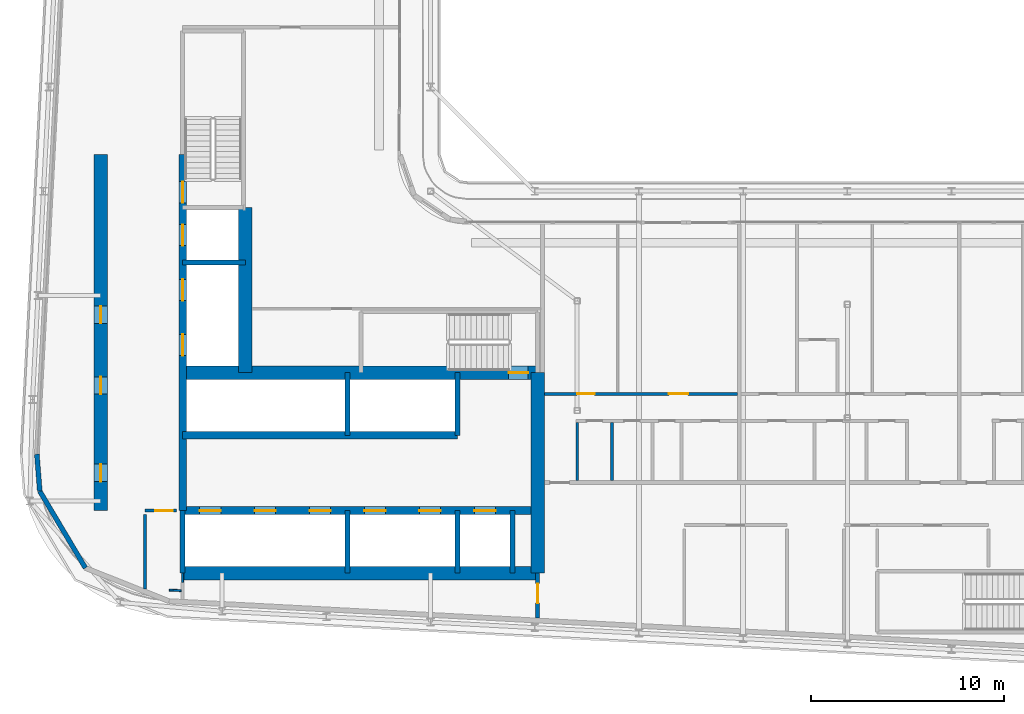
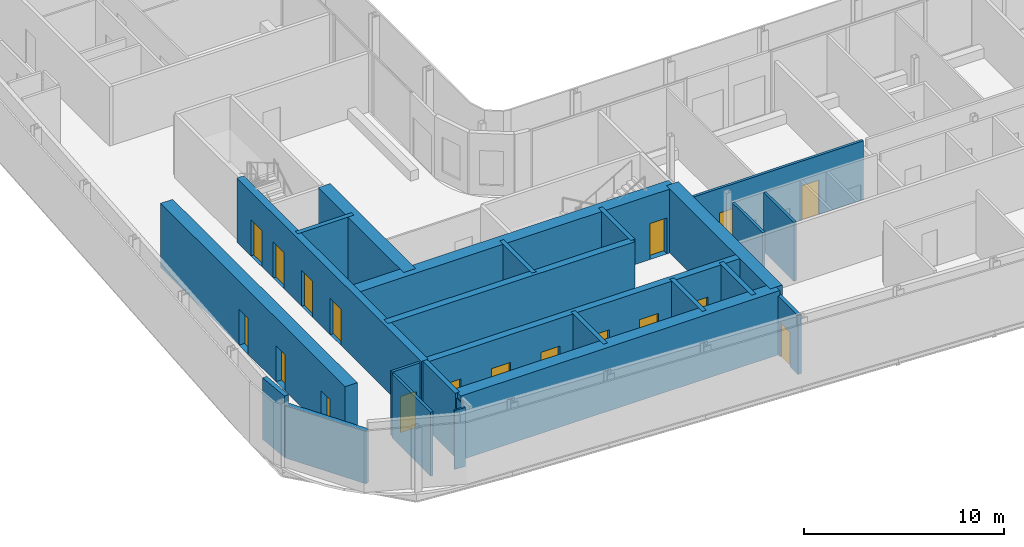
# One storey, part 10 of 23: 25 walls, 18 doors, 18 openings.
"""IFC4 building model written with IfcOpenShell, lengths in metres."""

import ifcopenshell
import ifcopenshell.guid

model = None  # the IFC model being written
_history = None  # IfcOwnerHistory: only IFC2X3 demands one
_inside = {}  # id of a spatial element -> (the spatial element, [elements in it])
_under = {}  # id of a project, library or spatial element -> (it, [spatial elements below it])
_declared = {}  # id of a project -> (the project, [libraries it declares])
_typed = {}  # id of a type object -> (the type object, [elements of that type])
_made_of = {}  # id of a material, layer set ... -> (it, [elements and type objects made of it])


def new_model(schema):
    """Start an empty IFC model of exactly this schema.

    Asked for "IFC4X3", IfcOpenShell would pick the latest addendum, in which some entities
    have other attributes; the version numbers below select the first issue.
    IFC2X3 requires an IfcOwnerHistory on every rooted entity: one is made here for all.
    """
    global model, _history
    if schema == "IFC4X3":
        model = ifcopenshell.file(schema_version=(4, 3, 0, 0))
    else:
        model = ifcopenshell.file(schema=schema)
    _inside.clear()
    _under.clear()
    _declared.clear()
    _typed.clear()
    _made_of.clear()
    _history = None
    if model.schema == "IFC2X3":
        org = make("IfcOrganization", Name="unknown")
        user = make(
            "IfcPersonAndOrganization",
            ThePerson=make("IfcPerson", FamilyName="unknown"),
            TheOrganization=org,
        )
        app = make(
            "IfcApplication",
            ApplicationDeveloper=org,
            Version="unknown",
            ApplicationFullName="unknown",
            ApplicationIdentifier="unknown",
        )
        _history = make(
            "IfcOwnerHistory",
            OwningUser=user,
            OwningApplication=app,
            ChangeAction="ADDED",
            CreationDate=0,
        )
    return model


def make(cls, **values):
    """One entity of the class cls with the attributes given. An attribute that is None is left unset."""
    return model.create_entity(
        cls, **{name: value for name, value in values.items() if value is not None}
    )


def rooted(cls, **values):
    """An entity with a GlobalId (a new one), such as an element, a storey or a relation."""
    return make(cls, GlobalId=ifcopenshell.guid.new(), OwnerHistory=_history, **values)


def si_unit(unit_type, name, prefix=None):
    """IfcSIUnit, for example si_unit("LENGTHUNIT", "METRE", prefix="MILLI")."""
    return make("IfcSIUnit", UnitType=unit_type, Prefix=prefix, Name=name)


def assignment(units):
    """IfcUnitAssignment: the units of a project."""
    return None if units is None else make("IfcUnitAssignment", Units=units)


def point(xyz):
    """IfcCartesianPoint."""
    return None if xyz is None else make("IfcCartesianPoint", Coordinates=xyz)


def direction(xyz):
    """IfcDirection."""
    return None if xyz is None else make("IfcDirection", DirectionRatios=xyz)


def frame(location, z_axis=None, x_axis=None):
    """IfcAxis2Placement3D, a coordinate frame: its origin and axes. An axis left out is left unset."""
    return make(
        "IfcAxis2Placement3D",
        Location=point(location),
        Axis=direction(z_axis),
        RefDirection=direction(x_axis),
    )


def frame_2d(location, x_axis=None):
    """IfcAxis2Placement2D, a coordinate frame in the plane: its origin and x axis."""
    return make(
        "IfcAxis2Placement2D", Location=point(location), RefDirection=direction(x_axis)
    )


def origin():
    """The frame at (0, 0, 0) with its axes left unset."""
    return frame((0.0, 0.0, 0.0))


def place(relative_to, where):
    """IfcLocalPlacement: puts the frame where relative to a parent placement (None: the world)."""
    return make(
        "IfcLocalPlacement", PlacementRelTo=relative_to, RelativePlacement=where
    )


def context(
    kind, dimensions, precision=None, world=None, true_north=None, identifier=None
):
    """IfcGeometricRepresentationContext, for example the 3D "Model" context."""
    return make(
        "IfcGeometricRepresentationContext",
        ContextIdentifier=identifier,
        ContextType=kind,
        CoordinateSpaceDimension=dimensions,
        Precision=precision,
        WorldCoordinateSystem=world,
        TrueNorth=true_north,
    )


def subcontext(parent, identifier, kind, view, scale=None):
    """IfcGeometricRepresentationSubContext, for example "Body" below "Model"."""
    return make(
        "IfcGeometricRepresentationSubContext",
        ContextIdentifier=identifier,
        ContextType=kind,
        ParentContext=parent,
        TargetScale=scale,
        TargetView=view,
    )


def project(units=None, contexts=None):
    """IfcProject with its units and contexts."""
    return rooted(
        "IfcProject",
        Name="project",
        RepresentationContexts=contexts,
        UnitsInContext=assignment(units),
    )


def spatial(cls, under=None, at=None, **own):
    """A site, building, storey or space (cls), placed at a placement, below another one or the project."""
    s = rooted(cls, ObjectPlacement=at, **own)
    if under is not None:
        _under.setdefault(under.id(), (under, []))[1].append(s)
    return s


def profile(cls, at=None, kind="AREA", **sizes):
    """A parametric profile (cls). Its sizes go by their IFC names, for example OverallWidth=200.0."""
    return make(cls, ProfileType=kind, Position=at, **sizes)


def rectangle(**sizes):
    """IfcRectangleProfileDef."""
    return profile("IfcRectangleProfileDef", **sizes)


def extrude(swept, where, along, depth):
    """IfcExtrudedAreaSolid: the profile swept, set in the frame where, extruded along a direction by depth."""
    return make(
        "IfcExtrudedAreaSolid",
        SweptArea=swept,
        Position=where,
        ExtrudedDirection=direction(along),
        Depth=depth,
    )


def shape(context_of_items, identifier, shape_type, items):
    """IfcShapeRepresentation: the items that make up one representation, for example the "Body"."""
    return make(
        "IfcShapeRepresentation",
        ContextOfItems=context_of_items,
        RepresentationIdentifier=identifier,
        RepresentationType=shape_type,
        Items=items,
    )


def source(mapping_origin, context_of_items, identifier, shape_type, items):
    """IfcRepresentationMap: a shape defined once, which mapped items show again and again."""
    return make(
        "IfcRepresentationMap",
        MappingOrigin=mapping_origin,
        MappedRepresentation=shape(context_of_items, identifier, shape_type, items),
    )


def transform(
    local_origin,
    x_axis=None,
    y_axis=None,
    z_axis=None,
    scale=None,
    scale2=None,
    scale3=None,
    uniform=True,
):
    """IfcCartesianTransformationOperator3D, or its non-uniform kind. x_axis, y_axis, z_axis: its Axis1, 2, 3."""
    if uniform:
        return make(
            "IfcCartesianTransformationOperator3D",
            Axis1=direction(x_axis),
            Axis2=direction(y_axis),
            LocalOrigin=point(local_origin),
            Scale=scale,
            Axis3=direction(z_axis),
        )
    return make(
        "IfcCartesianTransformationOperator3DnonUniform",
        Axis1=direction(x_axis),
        Axis2=direction(y_axis),
        LocalOrigin=point(local_origin),
        Scale=scale,
        Axis3=direction(z_axis),
        Scale2=scale2,
        Scale3=scale3,
    )


def mapped(mapping_source, mapping_target):
    """IfcMappedItem: shows the shape of a source again, moved by a transform."""
    return make(
        "IfcMappedItem", MappingSource=mapping_source, MappingTarget=mapping_target
    )


def material(Name=None, Category=None):
    """IfcMaterial."""
    return make("IfcMaterial", Name=Name, Category=Category)


def layer(
    of_material, thickness, ventilated=None, Name=None, Category=None, Priority=None
):
    """IfcMaterialLayer: one layer of a wall or slab, of a material (None: an air gap)."""
    return make(
        "IfcMaterialLayer",
        Material=of_material,
        LayerThickness=thickness,
        IsVentilated=ventilated,
        Name=Name,
        Category=Category,
        Priority=Priority,
    )


def layer_set(layers, Name=None):
    """IfcMaterialLayerSet."""
    return make("IfcMaterialLayerSet", MaterialLayers=layers, LayerSetName=Name)


def made_of(thing, what):
    """Note that an element or type object is made of a material, layer set ...; save() writes the relation."""
    if what is not None:
        _made_of.setdefault(what.id(), (what, []))[1].append(thing)
    return thing


def type_object(cls, material=None, **own):
    """A type object (cls), such as IfcWallType, which elements share."""
    return made_of(rooted(cls, **own), material)


def element(
    cls,
    number,
    at=None,
    inside=None,
    cuts=None,
    type_object=None,
    material=None,
    context=None,
    identifier="Body",
    shape_type=None,
    held_by="IfcProductDefinitionShape",
    body=None,
    shapes=None,
    **own,
):
    """One element of the class cls, such as IfcWall. Its Tag is "e" and its number.

    at: its placement. inside: the storey or other place that contains it. cuts: it is an
    opening in that element (IfcRelVoidsElement). A single representation is given by context,
    identifier, shape_type and body (its items); several are given by shapes. held_by: the class
    of the entity that holds the representations. save() writes the other relations.
    """
    e = rooted(cls, Tag="e%d" % number, ObjectPlacement=at, **own)
    if body is not None:
        shapes = [shape(context, identifier, shape_type, body)]
    if shapes is not None:
        e.Representation = make(held_by, Representations=shapes)
    if inside is not None:
        _inside.setdefault(inside.id(), (inside, []))[1].append(e)
    if cuts is not None:
        rooted(
            "IfcRelVoidsElement", RelatingBuildingElement=cuts, RelatedOpeningElement=e
        )
    if type_object is not None:
        _typed.setdefault(type_object.id(), (type_object, []))[1].append(e)
    return made_of(e, material)


def fill(opening, filler):
    """IfcRelFillsElement: the door or window that sits in an opening."""
    return rooted(
        "IfcRelFillsElement",
        RelatingOpeningElement=opening,
        RelatedBuildingElement=filler,
    )


def aggregate(whole, parts):
    """IfcRelAggregates: a whole, such as a stair, and the parts it consists of."""
    return rooted("IfcRelAggregates", RelatingObject=whole, RelatedObjects=parts)


def save(model, path):
    """Write the relations noted so far, then the file.

    IfcRelAggregates (storeys below a building ...), IfcRelContainedInSpatialStructure (elements
    in a storey), IfcRelDefinesByType, IfcRelAssociatesMaterial and IfcRelDeclares: one each for
    every whole, place, type object, material and project.
    """
    for whole, parts in _under.values():
        aggregate(whole, parts)
    for where, things in _inside.values():
        rooted(
            "IfcRelContainedInSpatialStructure",
            RelatedElements=things,
            RelatingStructure=where,
        )
    for kind, things in _typed.values():
        rooted("IfcRelDefinesByType", RelatedObjects=things, RelatingType=kind)
    for what, things in _made_of.values():
        rooted("IfcRelAssociatesMaterial", RelatedObjects=things, RelatingMaterial=what)
    for by, libraries in _declared.values():
        rooted("IfcRelDeclares", RelatingContext=by, RelatedDefinitions=libraries)
    model.write(path)


model = new_model("IFC4")

# Units and contexts
model_context = context("Model", 3, precision=1e-05, world=origin(), true_north=direction((0.0, 1.0)))
body_context = subcontext(model_context, "Body", "Model", "MODEL_VIEW")
ifc_project = project(units=[si_unit("LENGTHUNIT", "METRE"), si_unit("AREAUNIT", "SQUARE_METRE"), si_unit("VOLUMEUNIT", "CUBIC_METRE"), si_unit("PLANEANGLEUNIT", "RADIAN"), si_unit("MASSUNIT", "GRAM", prefix="KILO")], contexts=[model_context])

# Site, building, storey
site_placement = place(None, origin())
site = spatial("IfcSite", under=ifc_project, at=site_placement, CompositionType="ELEMENT")
building_placement = place(site_placement, origin())
building = spatial("IfcBuilding", under=site, at=building_placement, Name="Kheshtan School and Residences Tower", CompositionType="ELEMENT")
storey_placement = place(building_placement, frame((0.0, 0.0, 247.39990234375)))
storey = spatial("IfcBuildingStorey", under=building, at=storey_placement, Name="L58", CompositionType="ELEMENT", Elevation=247.39990234375)

# Wall, openings, doors
ifc_material_1 = material(Name="Concrete C50/60", Category="concrete")
ifc_layer_1 = layer(ifc_material_1, 0.39990234375)
ifc_layer_set_1 = layer_set([ifc_layer_1], Name="Core wall 400 Concrete C50/60")
wall_type_1 = type_object("IfcWallType", Name="Core wall 400 Concrete C50/60", PredefinedType="SHEAR", material=ifc_layer_set_1)
wall_1_placement = place(storey_placement, frame((34.75, 29.050048828125, 0.0), z_axis=(0.0, 0.0, 1.0), x_axis=(1.0, 0.0, 0.0)))
wall_1 = element("IfcWall", 1, at=wall_1_placement, inside=storey, type_object=wall_type_1, Name="Core wall CW-HALL-S1", PredefinedType="SHEAR", context=body_context, shape_type="SweptSolid", body=[
    extrude(rectangle(XDim=18.39990234375, YDim=0.39990234375, at=frame_2d((9.199951171875, 0.0))), origin(), (0.0, 0.0, 1.0), 3.900146484375),
])
opening_1_placement = place(wall_1_placement, frame((0.875, 0.0, 0.0)))
opening_1 = element("IfcOpeningElement", 2, at=opening_1_placement, cuts=wall_1, Name="Opening LD", PredefinedType="OPENING", context=body_context, shape_type="SweptSolid", body=[
    extrude(rectangle(XDim=1.10009765625, YDim=2.199951171875, at=frame_2d((0.550048828125, 1.10009765625))), frame((0.0, 0.2099609375, 0.0), z_axis=(0.0, -1.0, 0.0), x_axis=(1.0, 0.0, 0.0)), (0.0, 0.0, 1.0), 0.419921875),
])
opening_2_placement = place(wall_1_placement, frame((3.72509765625, 0.0, 0.0)))
opening_2 = element("IfcOpeningElement", 3, at=opening_2_placement, cuts=wall_1, Name="Opening LD", PredefinedType="OPENING", context=body_context, shape_type="SweptSolid", body=[
    extrude(rectangle(XDim=1.10009765625, YDim=2.199951171875, at=frame_2d((0.550048828125, 1.10009765625))), frame((0.0, 0.2099609375, 0.0), z_axis=(0.0, -1.0, 0.0), x_axis=(1.0, 0.0, 0.0)), (0.0, 0.0, 1.0), 0.419921875),
])
opening_3_placement = place(wall_1_placement, frame((6.574951171875, 0.0, 0.0)))
opening_3 = element("IfcOpeningElement", 4, at=opening_3_placement, cuts=wall_1, Name="Opening LD", PredefinedType="OPENING", context=body_context, shape_type="SweptSolid", body=[
    extrude(rectangle(XDim=1.10009765625, YDim=2.199951171875, at=frame_2d((0.550048828125, 1.10009765625))), frame((0.0, 0.2099609375, 0.0), z_axis=(0.0, -1.0, 0.0), x_axis=(1.0, 0.0, 0.0)), (0.0, 0.0, 1.0), 0.419921875),
])
opening_4_placement = place(wall_1_placement, frame((9.425048828125, 0.0, 0.0)))
opening_4 = element("IfcOpeningElement", 5, at=opening_4_placement, cuts=wall_1, Name="Opening LD", PredefinedType="OPENING", context=body_context, shape_type="SweptSolid", body=[
    extrude(rectangle(XDim=1.10009765625, YDim=2.199951171875, at=frame_2d((0.550048828125, 1.10009765625))), frame((0.0, 0.2099609375, 0.0), z_axis=(0.0, -1.0, 0.0), x_axis=(1.0, 0.0, 0.0)), (0.0, 0.0, 1.0), 0.419921875),
])
opening_5_placement = place(wall_1_placement, frame((12.27490234375, 0.0, 0.0)))
opening_5 = element("IfcOpeningElement", 6, at=opening_5_placement, cuts=wall_1, Name="Opening LD", PredefinedType="OPENING", context=body_context, shape_type="SweptSolid", body=[
    extrude(rectangle(XDim=1.10009765625, YDim=2.199951171875, at=frame_2d((0.550048828125, 1.10009765625))), frame((0.0, 0.2099609375, 0.0), z_axis=(0.0, -1.0, 0.0), x_axis=(1.0, 0.0, 0.0)), (0.0, 0.0, 1.0), 0.419921875),
])
opening_6_placement = place(wall_1_placement, frame((15.125, 0.0, 0.0)))
opening_6 = element("IfcOpeningElement", 7, at=opening_6_placement, cuts=wall_1, Name="Opening LD", PredefinedType="OPENING", context=body_context, shape_type="SweptSolid", body=[
    extrude(rectangle(XDim=1.10009765625, YDim=2.199951171875, at=frame_2d((0.550048828125, 1.10009765625))), frame((0.0, 0.2099609375, 0.0), z_axis=(0.0, -1.0, 0.0), x_axis=(1.0, 0.0, 0.0)), (0.0, 0.0, 1.0), 0.419921875),
])
ifc_material_2 = material(Name="Stainless steel door leaves", Category="steel")
door_type_1 = type_object("IfcDoorType", Name="Lift landing door 1100", OperationType="SLIDING_TO_LEFT", PredefinedType="DOOR", material=ifc_material_2)
shared_shape_1 = source(origin(), body_context, "Body", "SweptSolid", [
    extrude(rectangle(XDim=1.10009765625, YDim=2.199951171875, at=frame_2d((0.550048828125, 1.10009765625))), frame((0.0, 0.02490234375, 0.0), z_axis=(0.0, -1.0, 0.0), x_axis=(1.0, 0.0, 0.0)), (0.0, 0.0, 1.0), 0.050048828125),
])
door_1_placement = place(opening_1_placement, origin())
door_1 = element("IfcDoor", 8, at=door_1_placement, inside=storey, type_object=door_type_1, Name="Lift P7 landing door", OperationType="SLIDING_TO_LEFT", OverallHeight=2.199951171875, OverallWidth=1.10009765625, PredefinedType="DOOR", context=body_context, shape_type="MappedRepresentation", body=[
    mapped(shared_shape_1, transform((0.0, 0.0, 0.0), x_axis=(1.0, 0.0, 0.0), y_axis=(0.0, 1.0, 0.0), z_axis=(0.0, 0.0, 1.0), scale=1.0)),
])
fill(opening_1, door_1)
door_2_placement = place(opening_2_placement, origin())
door_2 = element("IfcDoor", 9, at=door_2_placement, inside=storey, type_object=door_type_1, Name="Lift P8 landing door", OperationType="SLIDING_TO_LEFT", OverallHeight=2.199951171875, OverallWidth=1.10009765625, PredefinedType="DOOR", context=body_context, shape_type="MappedRepresentation", body=[
    mapped(shared_shape_1, transform((0.0, 0.0, 0.0), x_axis=(1.0, 0.0, 0.0), y_axis=(0.0, 1.0, 0.0), z_axis=(0.0, 0.0, 1.0), scale=1.0)),
])
fill(opening_2, door_2)
door_3_placement = place(opening_3_placement, origin())
door_3 = element("IfcDoor", 10, at=door_3_placement, inside=storey, type_object=door_type_1, Name="Lift P9 landing door", OperationType="SLIDING_TO_LEFT", OverallHeight=2.199951171875, OverallWidth=1.10009765625, PredefinedType="DOOR", context=body_context, shape_type="MappedRepresentation", body=[
    mapped(shared_shape_1, transform((0.0, 0.0, 0.0), x_axis=(1.0, 0.0, 0.0), y_axis=(0.0, 1.0, 0.0), z_axis=(0.0, 0.0, 1.0), scale=1.0)),
])
fill(opening_3, door_3)
door_4_placement = place(opening_4_placement, origin())
door_4 = element("IfcDoor", 11, at=door_4_placement, inside=storey, type_object=door_type_1, Name="Lift P10 landing door", OperationType="SLIDING_TO_LEFT", OverallHeight=2.199951171875, OverallWidth=1.10009765625, PredefinedType="DOOR", context=body_context, shape_type="MappedRepresentation", body=[
    mapped(shared_shape_1, transform((0.0, 0.0, 0.0), x_axis=(1.0, 0.0, 0.0), y_axis=(0.0, 1.0, 0.0), z_axis=(0.0, 0.0, 1.0), scale=1.0)),
])
fill(opening_4, door_4)
door_5_placement = place(opening_5_placement, origin())
door_5 = element("IfcDoor", 12, at=door_5_placement, inside=storey, type_object=door_type_1, Name="Lift P11 landing door", OperationType="SLIDING_TO_LEFT", OverallHeight=2.199951171875, OverallWidth=1.10009765625, PredefinedType="DOOR", context=body_context, shape_type="MappedRepresentation", body=[
    mapped(shared_shape_1, transform((0.0, 0.0, 0.0), x_axis=(1.0, 0.0, 0.0), y_axis=(0.0, 1.0, 0.0), z_axis=(0.0, 0.0, 1.0), scale=1.0)),
])
fill(opening_5, door_5)
door_6_placement = place(opening_6_placement, origin())
door_6 = element("IfcDoor", 13, at=door_6_placement, inside=storey, type_object=door_type_1, Name="Lift FFL2 landing door", OperationType="SLIDING_TO_LEFT", OverallHeight=2.199951171875, OverallWidth=1.10009765625, PredefinedType="DOOR", context=body_context, shape_type="MappedRepresentation", body=[
    mapped(shared_shape_1, transform((0.0, 0.0, 0.0), x_axis=(1.0, 0.0, 0.0), y_axis=(0.0, 1.0, 0.0), z_axis=(0.0, 0.0, 1.0), scale=1.0)),
])
fill(opening_6, door_6)

# Wall
wall_2_placement = place(storey_placement, frame((34.75, 32.949951171875, 0.0), z_axis=(0.0, 0.0, 1.0), x_axis=(1.0, 0.0, 0.0)))
element("IfcWall", 14, at=wall_2_placement, inside=storey, type_object=wall_type_1, Name="Core wall CW-HALL-S2", PredefinedType="SHEAR", context=body_context, shape_type="SweptSolid", body=[
    extrude(rectangle(XDim=14.25, YDim=0.39990234375, at=frame_2d((7.125, 0.0))), origin(), (0.0, 0.0, 1.0), 3.900146484375),
])

# Wall, openings, doors
wall_3_placement = place(storey_placement, frame((34.75, 29.050048828125, 0.0), z_axis=(0.0, 0.0, 1.0), x_axis=(0.0, 1.0, 0.0)))
wall_3 = element("IfcWall", 15, at=wall_3_placement, inside=storey, type_object=wall_type_1, Name="Core wall CW-HALL-W1", PredefinedType="SHEAR", context=body_context, shape_type="SweptSolid", body=[
    extrude(rectangle(XDim=18.449951171875, YDim=0.39990234375, at=frame_2d((9.22509765625, 0.0))), origin(), (0.0, 0.0, 1.0), 3.900146484375),
])
opening_7_placement = place(wall_3_placement, frame((8.02490234375, 0.0, 0.0)))
opening_7 = element("IfcOpeningElement", 16, at=opening_7_placement, cuts=wall_3, Name="Opening LD", PredefinedType="OPENING", context=body_context, shape_type="SweptSolid", body=[
    extrude(rectangle(XDim=1.10009765625, YDim=2.199951171875, at=frame_2d((0.550048828125, 1.10009765625))), frame((0.0, 0.2099609375, 0.0), z_axis=(0.0, -1.0, 0.0), x_axis=(1.0, 0.0, 0.0)), (0.0, 0.0, 1.0), 0.419921875),
])
opening_8_placement = place(wall_3_placement, frame((10.875, 0.0, 0.0)))
opening_8 = element("IfcOpeningElement", 17, at=opening_8_placement, cuts=wall_3, Name="Opening LD", PredefinedType="OPENING", context=body_context, shape_type="SweptSolid", body=[
    extrude(rectangle(XDim=1.10009765625, YDim=2.199951171875, at=frame_2d((0.550048828125, 1.10009765625))), frame((0.0, 0.2099609375, 0.0), z_axis=(0.0, -1.0, 0.0), x_axis=(1.0, 0.0, 0.0)), (0.0, 0.0, 1.0), 0.419921875),
])
opening_9_placement = place(wall_3_placement, frame((13.72509765625, 0.0, 0.0)))
opening_9 = element("IfcOpeningElement", 18, at=opening_9_placement, cuts=wall_3, Name="Opening LD", PredefinedType="OPENING", context=body_context, shape_type="SweptSolid", body=[
    extrude(rectangle(XDim=1.10009765625, YDim=2.199951171875, at=frame_2d((0.550048828125, 1.10009765625))), frame((0.0, 0.2099609375, 0.0), z_axis=(0.0, -1.0, 0.0), x_axis=(1.0, 0.0, 0.0)), (0.0, 0.0, 1.0), 0.419921875),
])
opening_10_placement = place(wall_3_placement, frame((15.949951171875, 0.0, 0.0)))
opening_10 = element("IfcOpeningElement", 19, at=opening_10_placement, cuts=wall_3, Name="Opening ST2D", PredefinedType="OPENING", context=body_context, shape_type="SweptSolid", body=[
    extrude(rectangle(XDim=1.10009765625, YDim=2.199951171875, at=frame_2d((0.550048828125, 1.10009765625))), frame((0.0, 0.2099609375, 0.0), z_axis=(0.0, -1.0, 0.0), x_axis=(1.0, 0.0, 0.0)), (0.0, 0.0, 1.0), 0.419921875),
])
door_7_placement = place(opening_7_placement, origin())
door_7 = element("IfcDoor", 20, at=door_7_placement, inside=storey, type_object=door_type_1, Name="Lift SV1 landing door", OperationType="SLIDING_TO_LEFT", OverallHeight=2.199951171875, OverallWidth=1.10009765625, PredefinedType="DOOR", context=body_context, shape_type="MappedRepresentation", body=[
    mapped(shared_shape_1, transform((0.0, 0.0, 0.0), x_axis=(1.0, 0.0, 0.0), y_axis=(0.0, 1.0, 0.0), z_axis=(0.0, 0.0, 1.0), scale=1.0)),
])
fill(opening_7, door_7)
door_8_placement = place(opening_8_placement, origin())
door_8 = element("IfcDoor", 21, at=door_8_placement, inside=storey, type_object=door_type_1, Name="Lift SV2 landing door", OperationType="SLIDING_TO_LEFT", OverallHeight=2.199951171875, OverallWidth=1.10009765625, PredefinedType="DOOR", context=body_context, shape_type="MappedRepresentation", body=[
    mapped(shared_shape_1, transform((0.0, 0.0, 0.0), x_axis=(1.0, 0.0, 0.0), y_axis=(0.0, 1.0, 0.0), z_axis=(0.0, 0.0, 1.0), scale=1.0)),
])
fill(opening_8, door_8)
door_9_placement = place(opening_9_placement, origin())
door_9 = element("IfcDoor", 22, at=door_9_placement, inside=storey, type_object=door_type_1, Name="Lift FFL1 landing door", OperationType="SLIDING_TO_LEFT", OverallHeight=2.199951171875, OverallWidth=1.10009765625, PredefinedType="DOOR", context=body_context, shape_type="MappedRepresentation", body=[
    mapped(shared_shape_1, transform((0.0, 0.0, 0.0), x_axis=(1.0, 0.0, 0.0), y_axis=(0.0, 1.0, 0.0), z_axis=(0.0, 0.0, 1.0), scale=1.0)),
])
fill(opening_9, door_9)
ifc_material_3 = material(Name="Steel door leaf, galvanised", Category="steel")
door_type_2 = type_object("IfcDoorType", Name="Stair door 1100 steel 90 min", OperationType="SINGLE_SWING_LEFT", PredefinedType="DOOR", material=ifc_material_3)
shared_shape_2 = source(origin(), body_context, "Body", "SweptSolid", [
    extrude(rectangle(XDim=1.10009765625, YDim=2.199951171875, at=frame_2d((0.550048828125, 1.10009765625))), frame((0.0, 0.02490234375, 0.0), z_axis=(0.0, -1.0, 0.0), x_axis=(1.0, 0.0, 0.0)), (0.0, 0.0, 1.0), 0.050048828125),
])
door_10_placement = place(opening_10_placement, origin())
door_10 = element("IfcDoor", 23, at=door_10_placement, inside=storey, type_object=door_type_2, Name="Stair ST2 door", OperationType="SINGLE_SWING_RIGHT", OverallHeight=2.199951171875, OverallWidth=1.10009765625, PredefinedType="DOOR", context=body_context, shape_type="MappedRepresentation", body=[
    mapped(shared_shape_2, transform((0.0, 0.0, 0.0), x_axis=(1.0, 0.0, 0.0), y_axis=(0.0, 1.0, 0.0), z_axis=(0.0, 0.0, 1.0), scale=1.0)),
])
fill(opening_10, door_10)

# Wall
ifc_material_4 = material(Name="Concrete C70/85", Category="concrete")
ifc_layer_2 = layer(ifc_material_4, 0.699951171875)
ifc_layer_set_2 = layer_set([ifc_layer_2], Name="Core wall 700 Concrete C70/85")
wall_type_2 = type_object("IfcWallType", Name="Core wall 700 Concrete C70/85", PredefinedType="SHEAR", material=ifc_layer_set_2)
wall_4_placement = place(storey_placement, frame((34.75, 25.800048828125, 0.0), z_axis=(0.0, 0.0, 1.0), x_axis=(1.0, 0.0, 0.0)))
element("IfcWall", 24, at=wall_4_placement, inside=storey, type_object=wall_type_2, Name="Core wall CW-REAR-S", PredefinedType="SHEAR", context=body_context, shape_type="SweptSolid", body=[
    extrude(rectangle(XDim=18.39990234375, YDim=0.699951171875, at=frame_2d((9.199951171875, 0.0))), origin(), (0.0, 0.0, 1.0), 3.900146484375),
])

# Wall, opening, door
wall_5_placement = place(storey_placement, frame((34.75, 36.199951171875, 0.0), z_axis=(0.0, 0.0, 1.0), x_axis=(1.0, 0.0, 0.0)))
wall_5 = element("IfcWall", 25, at=wall_5_placement, inside=storey, type_object=wall_type_2, Name="Core wall CW-FRONT-S", PredefinedType="SHEAR", context=body_context, shape_type="SweptSolid", body=[
    extrude(rectangle(XDim=18.39990234375, YDim=0.699951171875, at=frame_2d((9.199951171875, 0.0))), origin(), (0.0, 0.0, 1.0), 3.900146484375),
])
opening_11_placement = place(wall_5_placement, frame((16.89990234375, 0.0, 0.0)))
opening_11 = element("IfcOpeningElement", 26, at=opening_11_placement, cuts=wall_5, Name="Opening ST1D", PredefinedType="OPENING", context=body_context, shape_type="SweptSolid", body=[
    extrude(rectangle(XDim=1.0, YDim=2.199951171875, at=frame_2d((0.5, 1.10009765625))), frame((0.0, 0.35986328125, 0.0), z_axis=(0.0, -1.0, 0.0), x_axis=(1.0, 0.0, 0.0)), (0.0, 0.0, 1.0), 0.719970703125),
])
shared_shape_3 = source(origin(), body_context, "Body", "SweptSolid", [
    extrude(rectangle(XDim=1.0, YDim=2.199951171875, at=frame_2d((0.5, 1.10009765625))), frame((0.0, 0.02490234375, 0.0), z_axis=(0.0, -1.0, 0.0), x_axis=(1.0, 0.0, 0.0)), (0.0, 0.0, 1.0), 0.050048828125),
])
door_11_placement = place(opening_11_placement, origin())
door_11 = element("IfcDoor", 27, at=door_11_placement, inside=storey, type_object=door_type_2, Name="Stair ST1 door", OperationType="SINGLE_SWING_RIGHT", OverallHeight=2.199951171875, OverallWidth=1.0, PredefinedType="DOOR", context=body_context, shape_type="MappedRepresentation", body=[
    mapped(shared_shape_3, transform((0.0, 0.0, 0.0), x_axis=(1.0, 0.0, 0.0), y_axis=(0.0, 1.0, 0.0), z_axis=(0.0, 0.0, 1.0), scale=1.0)),
])
fill(opening_11, door_11)

# Wall
wall_6_placement = place(storey_placement, frame((38.0, 36.199951171875, 0.0), z_axis=(0.0, 0.0, 1.0), x_axis=(0.0, 1.0, 0.0)))
element("IfcWall", 28, at=wall_6_placement, inside=storey, type_object=wall_type_2, Name="Core wall CW-FRONT-W", PredefinedType="SHEAR", context=body_context, shape_type="SweptSolid", body=[
    extrude(rectangle(XDim=8.550048828125, YDim=0.699951171875, at=frame_2d((4.27490234375, 0.0))), origin(), (0.0, 0.0, 1.0), 3.900146484375),
])

# Wall, openings, doors
wall_7_placement = place(storey_placement, frame((30.5, 29.050048828125, 0.0), z_axis=(0.0, 0.0, 1.0), x_axis=(0.0, 1.0, 0.0)))
wall_7 = element("IfcWall", 29, at=wall_7_placement, inside=storey, type_object=wall_type_2, Name="Core wall CW-REAR-W", PredefinedType="SHEAR", context=body_context, shape_type="SweptSolid", body=[
    extrude(rectangle(XDim=18.449951171875, YDim=0.699951171875, at=frame_2d((9.22509765625, 0.0))), origin(), (0.0, 0.0, 1.0), 3.900146484375),
])
opening_12_placement = place(wall_7_placement, frame((1.5, 0.0, 0.0)))
opening_12 = element("IfcOpeningElement", 30, at=opening_12_placement, cuts=wall_7, Name="Opening SR90", PredefinedType="OPENING", context=body_context, shape_type="SweptSolid", body=[
    extrude(rectangle(XDim=0.89990234375, YDim=2.199951171875, at=frame_2d((0.449951171875, 1.10009765625))), frame((0.0, 0.35986328125, 0.0), z_axis=(0.0, -1.0, 0.0), x_axis=(1.0, 0.0, 0.0)), (0.0, 0.0, 1.0), 0.719970703125),
])
opening_13_placement = place(wall_7_placement, frame((6.030029296875, 0.0, 0.0)))
opening_13 = element("IfcOpeningElement", 31, at=opening_13_placement, cuts=wall_7, Name="Opening SR90", PredefinedType="OPENING", context=body_context, shape_type="SweptSolid", body=[
    extrude(rectangle(XDim=0.89990234375, YDim=2.199951171875, at=frame_2d((0.449951171875, 1.10009765625))), frame((0.0, 0.35986328125, 0.0), z_axis=(0.0, -1.0, 0.0), x_axis=(1.0, 0.0, 0.0)), (0.0, 0.0, 1.0), 0.719970703125),
])
opening_14_placement = place(wall_7_placement, frame((9.699951171875, 0.0, 0.0)))
opening_14 = element("IfcOpeningElement", 32, at=opening_14_placement, cuts=wall_7, Name="Opening SR90", PredefinedType="OPENING", context=body_context, shape_type="SweptSolid", body=[
    extrude(rectangle(XDim=0.89990234375, YDim=2.199951171875, at=frame_2d((0.449951171875, 1.10009765625))), frame((0.0, 0.35986328125, 0.0), z_axis=(0.0, -1.0, 0.0), x_axis=(1.0, 0.0, 0.0)), (0.0, 0.0, 1.0), 0.719970703125),
])
door_type_3 = type_object("IfcDoorType", Name="Service room door 900 steel 90 min", OperationType="SINGLE_SWING_LEFT", PredefinedType="DOOR", material=ifc_material_3)
shared_shape_4 = source(origin(), body_context, "Body", "SweptSolid", [
    extrude(rectangle(XDim=0.89990234375, YDim=2.199951171875, at=frame_2d((0.449951171875, 1.10009765625))), frame((0.0, 0.02490234375, 0.0), z_axis=(0.0, -1.0, 0.0), x_axis=(1.0, 0.0, 0.0)), (0.0, 0.0, 1.0), 0.050048828125),
])
door_12_placement = place(opening_12_placement, origin())
door_12 = element("IfcDoor", 33, at=door_12_placement, inside=storey, type_object=door_type_3, Name="Service room door", OperationType="SINGLE_SWING_LEFT", OverallHeight=2.199951171875, OverallWidth=0.89990234375, PredefinedType="DOOR", context=body_context, shape_type="MappedRepresentation", body=[
    mapped(shared_shape_4, transform((0.0, 0.0, 0.0), x_axis=(1.0, 0.0, 0.0), y_axis=(0.0, 1.0, 0.0), z_axis=(0.0, 0.0, 1.0), scale=1.0)),
])
fill(opening_12, door_12)
door_13_placement = place(opening_13_placement, origin())
door_13 = element("IfcDoor", 34, at=door_13_placement, inside=storey, type_object=door_type_3, Name="Service room door", OperationType="SINGLE_SWING_RIGHT", OverallHeight=2.199951171875, OverallWidth=0.89990234375, PredefinedType="DOOR", context=body_context, shape_type="MappedRepresentation", body=[
    mapped(shared_shape_4, transform((0.0, 0.0, 0.0), x_axis=(1.0, 0.0, 0.0), y_axis=(0.0, 1.0, 0.0), z_axis=(0.0, 0.0, 1.0), scale=1.0)),
])
fill(opening_13, door_13)
door_14_placement = place(opening_14_placement, origin())
door_14 = element("IfcDoor", 35, at=door_14_placement, inside=storey, type_object=door_type_3, Name="Service room door", OperationType="SINGLE_SWING_LEFT", OverallHeight=2.199951171875, OverallWidth=0.89990234375, PredefinedType="DOOR", context=body_context, shape_type="MappedRepresentation", body=[
    mapped(shared_shape_4, transform((0.0, 0.0, 0.0), x_axis=(1.0, 0.0, 0.0), y_axis=(0.0, 1.0, 0.0), z_axis=(0.0, 0.0, 1.0), scale=1.0)),
])
fill(opening_14, door_14)

# Wall
wall_8_placement = place(storey_placement, frame((53.14990234375, 25.800048828125, 0.0), z_axis=(0.0, 0.0, 1.0), x_axis=(0.0, 1.0, 0.0)))
element("IfcWall", 36, at=wall_8_placement, inside=storey, type_object=wall_type_2, Name="Core wall CW-EAST", PredefinedType="SHEAR", context=body_context, shape_type="SweptSolid", body=[
    extrude(rectangle(XDim=10.39990234375, YDim=0.699951171875, at=frame_2d((5.199951171875, 0.0))), origin(), (0.0, 0.0, 1.0), 3.900146484375),
])

# Wall, opening, door
ifc_material_5 = material(Name="Gypsum board on steel studs with fire boards", Category="steel")
ifc_layer_3 = layer(ifc_material_5, 0.199951171875)
ifc_layer_set_3 = layer_set([ifc_layer_3], Name="Corridor wall 200")
wall_type_3 = type_object("IfcWallType", Name="Corridor wall 200", PredefinedType="PARTITIONING", material=ifc_layer_set_3)
wall_9_placement = place(storey_placement, frame((53.14990234375, 23.472412109375, 0.0), z_axis=(0.0, 0.0, 1.0), x_axis=(0.0, 1.0, 0.0)))
wall_9 = element("IfcWall", 37, at=wall_9_placement, inside=storey, type_object=wall_type_3, Name="Partition L58-031", PredefinedType="PARTITIONING", context=body_context, shape_type="SweptSolid", body=[
    extrude(rectangle(XDim=2.32763671875, YDim=0.199951171875, at=frame_2d((1.163818359375, 0.0))), origin(), (0.0, 0.0, 1.0), 3.60009765625),
])
opening_15_placement = place(wall_9_placement, frame((0.784912109375, 0.0, 0.0)))
opening_15 = element("IfcOpeningElement", 38, at=opening_15_placement, cuts=wall_9, Name="Opening D58-040", PredefinedType="OPENING", context=body_context, shape_type="SweptSolid", body=[
    extrude(rectangle(XDim=1.0, YDim=2.10009765625, at=frame_2d((0.5, 1.050048828125))), frame((0.0, 0.10986328125, 0.0), z_axis=(0.0, -1.0, 0.0), x_axis=(1.0, 0.0, 0.0)), (0.0, 0.0, 1.0), 0.219970703125),
])
ifc_material_6 = material(Name="Steel-framed fire-resisting door leaf", Category="steel")
door_type_4 = type_object("IfcDoorType", Name="Fire door FD60 1000 x 2100", OperationType="SINGLE_SWING_LEFT", PredefinedType="DOOR", material=ifc_material_6)
shared_shape_5 = source(origin(), body_context, "Body", "SweptSolid", [
    extrude(rectangle(XDim=1.0, YDim=2.10009765625, at=frame_2d((0.5, 1.050048828125))), frame((0.0, 0.02490234375, 0.0), z_axis=(0.0, -1.0, 0.0), x_axis=(1.0, 0.0, 0.0)), (0.0, 0.0, 1.0), 0.050048828125),
])
door_15_placement = place(opening_15_placement, origin())
door_15 = element("IfcDoor", 39, at=door_15_placement, inside=storey, type_object=door_type_4, Name="Door D58-040", OperationType="SINGLE_SWING_RIGHT", OverallHeight=2.10009765625, OverallWidth=1.0, PredefinedType="DOOR", context=body_context, shape_type="MappedRepresentation", body=[
    mapped(shared_shape_5, transform((0.0, 0.0, 0.0), x_axis=(1.0, 0.0, 0.0), y_axis=(0.0, 1.0, 0.0), z_axis=(0.0, 0.0, 1.0), scale=1.0)),
])
fill(opening_15, door_15)

# Walls
ifc_material_7 = material(Name="Concrete C40/50 with ceramic cladding and mineral wool insulation", Category="concrete")
ifc_layer_4 = layer(ifc_material_7, 0.25)
ifc_layer_set_4 = layer_set([ifc_layer_4], Name="External wall 250 ceramic clad")
wall_type_4 = type_object("IfcWallType", Name="External wall 250 ceramic clad", PredefinedType="SOLIDWALL", material=ifc_layer_set_4)
wall_10_placement = place(storey_placement, frame((29.7119140625, 26.072021484375, 0.0), z_axis=(0.0, 0.0, 1.0), x_axis=(-0.511028049012, 0.859564036662, 0.0)))
element("IfcWall", 40, at=wall_10_placement, inside=storey, type_object=wall_type_4, Name="External wall L58 2", PredefinedType="SOLIDWALL", context=body_context, shape_type="SweptSolid", body=[
    extrude(rectangle(XDim=4.633544921875, YDim=0.25, at=frame_2d((2.31689453125, 0.0))), origin(), (0.0, 0.0, 1.0), 3.217041015625),
])
wall_11_placement = place(storey_placement, frame((27.343994140625, 30.054931640625, 0.0), z_axis=(0.0, 0.0, 1.0), x_axis=(-0.077571675317, 0.99698677784, 0.0)))
element("IfcWall", 41, at=wall_11_placement, inside=storey, type_object=wall_type_4, Name="External wall L58 3", PredefinedType="SOLIDWALL", context=body_context, shape_type="SweptSolid", body=[
    extrude(rectangle(XDim=1.919921875, YDim=0.25, at=frame_2d((0.9599609375, 0.0))), origin(), (0.0, 0.0, 1.0), 3.75),
])
ifc_material_8 = material(Name="Gypsum board on steel studs", Category="steel")
ifc_layer_5 = layer(ifc_material_8, 0.10009765625)
ifc_layer_set_5 = layer_set([ifc_layer_5], Name="Gypsum partition 100")
wall_type_5 = type_object("IfcWallType", Name="Gypsum partition 100", PredefinedType="PARTITIONING", material=ifc_layer_set_5)
wall_12_placement = place(storey_placement, frame((34.06298828125, 24.928955078125, 0.0), z_axis=(0.0, 0.0, 1.0), x_axis=(0.99864189377, -0.052099597007, 0.0)))
element("IfcWall", 42, at=wall_12_placement, inside=storey, type_object=wall_type_5, Name="Partition L58-017", PredefinedType="PARTITIONING", context=body_context, shape_type="SweptSolid", body=[
    extrude(rectangle(XDim=0.61376953125, YDim=0.10009765625, at=frame_2d((0.306884765625, 0.0))), origin(), (0.0, 0.0, 1.0), 3.60009765625),
])
wall_13_placement = place(storey_placement, frame((34.75, 25.3291015625, 0.0), z_axis=(0.0, 0.0, 1.0), x_axis=(0.0, 1.0, 0.0)))
element("IfcWall", 43, at=wall_13_placement, inside=storey, type_object=wall_type_5, Name="Partition L58-018", PredefinedType="PARTITIONING", context=body_context, shape_type="SweptSolid", body=[
    extrude(rectangle(XDim=0.470947265625, YDim=0.10009765625, at=frame_2d((0.2353515625, 0.0))), origin(), (0.0, 0.0, 1.0), 3.60009765625),
])

# Wall, opening, door
ifc_material_9 = material(Name="Fire-board shaft wall system")
ifc_layer_6 = layer(ifc_material_9, 0.14990234375)
ifc_layer_set_6 = layer_set([ifc_layer_6], Name="Service room wall 150")
wall_type_6 = type_object("IfcWallType", Name="Service room wall 150", PredefinedType="PARTITIONING", material=ifc_layer_set_6)
wall_14_placement = place(storey_placement, frame((32.804931640625, 29.050048828125, 0.0), z_axis=(0.0, 0.0, 1.0), x_axis=(1.0, 0.0, 0.0)))
wall_14 = element("IfcWall", 44, at=wall_14_placement, inside=storey, type_object=wall_type_6, Name="Service room wall", PredefinedType="PARTITIONING", context=body_context, shape_type="SweptSolid", body=[
    extrude(rectangle(XDim=1.625, YDim=0.14990234375, at=frame_2d((0.8125, 0.0))), origin(), (0.0, 0.0, 1.0), 3.900146484375),
])
opening_16_placement = place(wall_14_placement, frame((0.52294921875, 0.0, 0.0)))
opening_16 = element("IfcOpeningElement", 45, at=opening_16_placement, cuts=wall_14, Name="Opening SR90", PredefinedType="OPENING", context=body_context, shape_type="SweptSolid", body=[
    extrude(rectangle(XDim=0.89990234375, YDim=2.199951171875, at=frame_2d((0.449951171875, 1.10009765625))), frame((0.0, 0.0849609375, 0.0), z_axis=(0.0, -1.0, 0.0), x_axis=(1.0, 0.0, 0.0)), (0.0, 0.0, 1.0), 0.169921875),
])
door_16_placement = place(opening_16_placement, origin())
door_16 = element("IfcDoor", 46, at=door_16_placement, inside=storey, type_object=door_type_3, Name="Service room door", OperationType="SINGLE_SWING_LEFT", OverallHeight=2.199951171875, OverallWidth=0.89990234375, PredefinedType="DOOR", context=body_context, shape_type="MappedRepresentation", body=[
    mapped(shared_shape_4, transform((0.0, 0.0, 0.0), x_axis=(1.0, 0.0, 0.0), y_axis=(0.0, 1.0, 0.0), z_axis=(0.0, 0.0, 1.0), scale=1.0)),
])
fill(opening_16, door_16)

# Walls
wall_15_placement = place(storey_placement, frame((32.804931640625, 24.97998046875, 0.0), z_axis=(0.0, 0.0, 1.0), x_axis=(0.0, 1.0, 0.0)))
element("IfcWall", 47, at=wall_15_placement, inside=storey, type_object=wall_type_6, Name="Service room wall", PredefinedType="PARTITIONING", context=body_context, shape_type="SweptSolid", body=[
    extrude(rectangle(XDim=3.875, YDim=0.14990234375, at=frame_2d((1.9375, 0.0))), origin(), (0.0, 0.0, 1.0), 3.900146484375),
])
ifc_layer_7 = layer(ifc_material_9, 0.25)
ifc_layer_set_7 = layer_set([ifc_layer_7], Name="Shaft lining wall 250")
wall_type_7 = type_object("IfcWallType", Name="Shaft lining wall 250", PredefinedType="PARTITIONING", material=ifc_layer_set_7)
for number, where, z_axis, x_axis, name in (
    (48, (34.75, 25.800048828125, 0.0), (0.0, 0.0, 1.0), (0.0, 1.0, 0.0), "Shaft lining wall"),
    (49, (43.300048828125, 25.800048828125, 0.0), (0.0, 0.0, 1.0), (0.0, 1.0, 0.0), "Shaft lining wall"),
    (50, (43.300048828125, 32.949951171875, 0.0), (0.0, 0.0, 1.0), (0.0, 1.0, 0.0), "Shaft lining wall"),
    (51, (49.0, 25.800048828125, 0.0), (0.0, 0.0, 1.0), (0.0, 1.0, 0.0), "Shaft lining wall"),
    (52, (49.0, 32.949951171875, 0.0), (0.0, 0.0, 1.0), (0.0, 1.0, 0.0), "Shaft lining wall"),
    (53, (51.85009765625, 25.800048828125, 0.0), (0.0, 0.0, 1.0), (0.0, 1.0, 0.0), "Shaft lining wall"),
    (54, (34.75, 41.89990234375, 0.0), (0.0, 0.0, 1.0), (1.0, 0.0, 0.0), "Shaft lining wall"),
):
    element("IfcWall", number, at=place(storey_placement, frame(where, z_axis=z_axis, x_axis=x_axis)), inside=storey, type_object=wall_type_7, Name=name, PredefinedType="PARTITIONING", context=body_context, shape_type="SweptSolid", body=[
        extrude(rectangle(XDim=3.25, YDim=0.25, at=frame_2d((1.625, 0.0))), origin(), (0.0, 0.0, 1.0), 3.900146484375),
    ])

# Wall, openings, doors
ifc_material_10 = material(Name="Moisture-resistant gypsum board on steel studs", Category="steel")
ifc_layer_8 = layer(ifc_material_10, 0.14990234375)
ifc_layer_set_8 = layer_set([ifc_layer_8], Name="Wet-room partition 150")
wall_type_8 = type_object("IfcWallType", Name="Wet-room partition 150", PredefinedType="PARTITIONING", material=ifc_layer_set_8)
wall_16_placement = place(storey_placement, frame((53.4990234375, 35.10009765625, 0.0), z_axis=(0.0, 0.0, 1.0), x_axis=(1.0, 0.0, 0.0)))
wall_16 = element("IfcWall", 55, at=wall_16_placement, inside=storey, type_object=wall_type_8, Name="Partition L58-034", PredefinedType="PARTITIONING", context=body_context, shape_type="SweptSolid", body=[
    extrude(rectangle(XDim=10.0009765625, YDim=0.14990234375, at=frame_2d((5.00048828125, 0.0))), origin(), (0.0, 0.0, 1.0), 3.60009765625),
])
opening_17_placement = place(wall_16_placement, frame((1.700927734375, 0.0, 0.0)))
opening_17 = element("IfcOpeningElement", 56, at=opening_17_placement, cuts=wall_16, Name="Opening D58-002", PredefinedType="OPENING", context=body_context, shape_type="SweptSolid", body=[
    extrude(rectangle(XDim=0.89990234375, YDim=2.10009765625, at=frame_2d((0.449951171875, 1.050048828125))), frame((0.0, 0.0849609375, 0.0), z_axis=(0.0, -1.0, 0.0), x_axis=(1.0, 0.0, 0.0)), (0.0, 0.0, 1.0), 0.169921875),
])
opening_18_placement = place(wall_16_placement, frame((6.450927734375, 0.0, 0.0)))
opening_18 = element("IfcOpeningElement", 57, at=opening_18_placement, cuts=wall_16, Name="Opening D58-006", PredefinedType="OPENING", context=body_context, shape_type="SweptSolid", body=[
    extrude(rectangle(XDim=1.0, YDim=2.10009765625, at=frame_2d((0.5, 1.050048828125))), frame((0.0, 0.0849609375, 0.0), z_axis=(0.0, -1.0, 0.0), x_axis=(1.0, 0.0, 0.0)), (0.0, 0.0, 1.0), 0.169921875),
])
ifc_material_11 = material(Name="Veneered timber door leaf", Category="wood")
door_type_5 = type_object("IfcDoorType", Name="Door 1000 x 2100", OperationType="SINGLE_SWING_LEFT", PredefinedType="DOOR", material=ifc_material_11)
shared_shape_6 = source(origin(), body_context, "Body", "SweptSolid", [
    extrude(rectangle(XDim=1.0, YDim=2.10009765625, at=frame_2d((0.5, 1.050048828125))), frame((0.0, 0.02490234375, 0.0), z_axis=(0.0, -1.0, 0.0), x_axis=(1.0, 0.0, 0.0)), (0.0, 0.0, 1.0), 0.050048828125),
])
door_17_placement = place(opening_18_placement, origin())
door_17 = element("IfcDoor", 58, at=door_17_placement, inside=storey, type_object=door_type_5, Name="Door D58-006", OperationType="SINGLE_SWING_RIGHT", OverallHeight=2.10009765625, OverallWidth=1.0, PredefinedType="DOOR", context=body_context, shape_type="MappedRepresentation", body=[
    mapped(shared_shape_6, transform((0.0, 0.0, 0.0), x_axis=(1.0, 0.0, 0.0), y_axis=(0.0, 1.0, 0.0), z_axis=(0.0, 0.0, 1.0), scale=1.0)),
])
fill(opening_18, door_17)
door_type_6 = type_object("IfcDoorType", Name="Door 900 x 2100", OperationType="SINGLE_SWING_LEFT", PredefinedType="DOOR", material=ifc_material_11)
shared_shape_7 = source(origin(), body_context, "Body", "SweptSolid", [
    extrude(rectangle(XDim=0.89990234375, YDim=2.10009765625, at=frame_2d((0.449951171875, 1.050048828125))), frame((0.0, 0.02490234375, 0.0), z_axis=(0.0, -1.0, 0.0), x_axis=(1.0, 0.0, 0.0)), (0.0, 0.0, 1.0), 0.050048828125),
])
door_18_placement = place(opening_17_placement, origin())
door_18 = element("IfcDoor", 59, at=door_18_placement, inside=storey, type_object=door_type_6, Name="Door D58-002", OperationType="SINGLE_SWING_RIGHT", OverallHeight=2.10009765625, OverallWidth=0.89990234375, PredefinedType="DOOR", context=body_context, shape_type="MappedRepresentation", body=[
    mapped(shared_shape_7, transform((0.0, 0.0, 0.0), x_axis=(1.0, 0.0, 0.0), y_axis=(0.0, 1.0, 0.0), z_axis=(0.0, 0.0, 1.0), scale=1.0)),
])
fill(opening_17, door_18)

# Walls
for number, where, z_axis, x_axis, name in (
    (60, (55.199951171875, 30.60009765625, 0.0), (0.0, 0.0, 1.0), (0.0, 1.0, 0.0), "Partition L58-036"),
    (61, (57.0, 30.60009765625, 0.0), (0.0, 0.0, 1.0), (0.0, 1.0, 0.0), "Partition L58-037"),
):
    element("IfcWall", number, at=place(storey_placement, frame(where, z_axis=z_axis, x_axis=x_axis)), inside=storey, type_object=wall_type_8, Name=name, PredefinedType="PARTITIONING", context=body_context, shape_type="SweptSolid", body=[
        extrude(rectangle(XDim=3.02490234375, YDim=0.14990234375, at=frame_2d((1.512451171875, 0.0))), origin(), (0.0, 0.0, 1.0), 3.60009765625),
    ])

save(model, "model.ifc")
